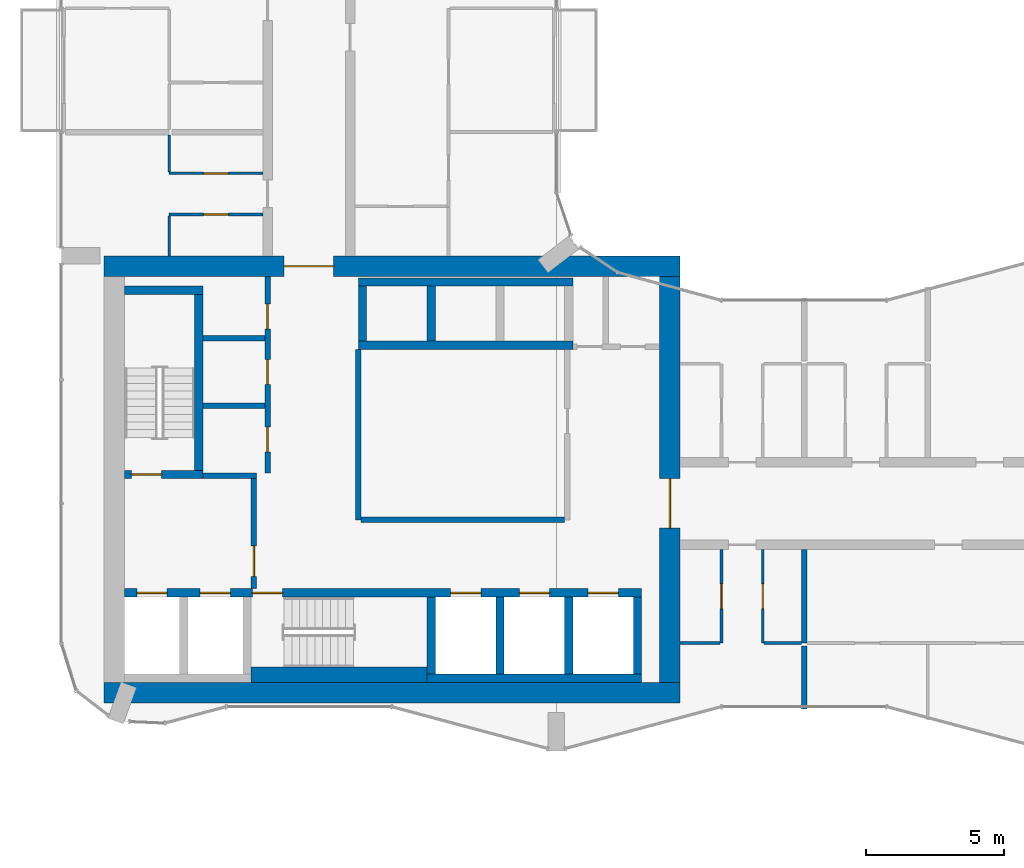
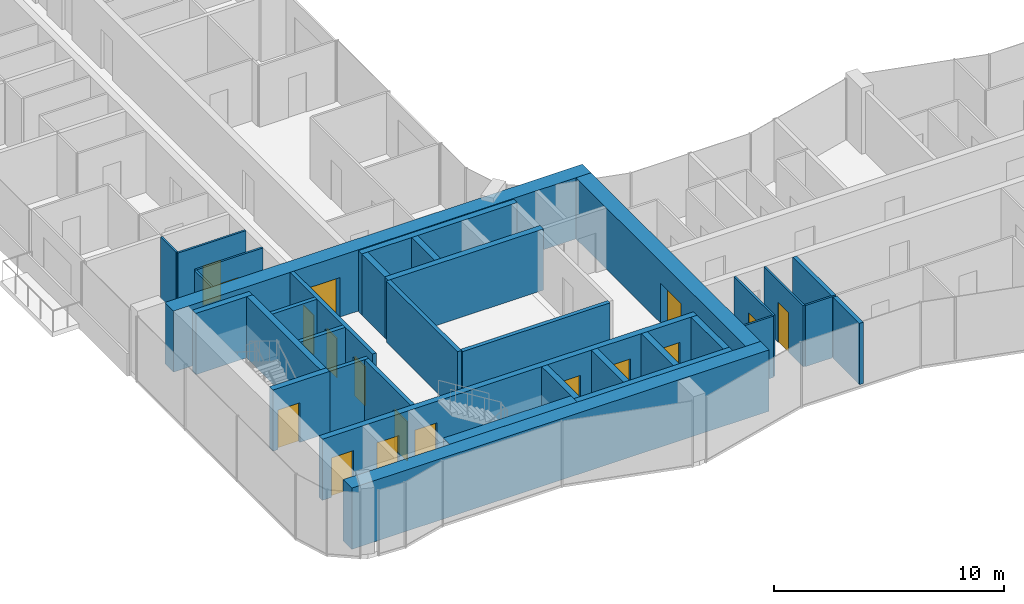
# One storey, part 13 of 23: 34 walls, 17 doors, 17 openings.
"""IFC4 building model written with IfcOpenShell, lengths in metres."""

from ifc_helpers import new_model, si_unit, direction, frame, frame_2d, origin, place, context, subcontext, project, spatial, rectangle, extrude, material, layer, layer_set, type_object, element, fill, save


model = new_model("IFC4")

# Units and contexts
model_context = context("Model", 3, precision=1e-05, world=origin(), true_north=direction((0.0, 1.0)))
body_context = subcontext(model_context, "Body", "Model", "MODEL_VIEW")
ifc_project = project(units=[si_unit("LENGTHUNIT", "METRE"), si_unit("AREAUNIT", "SQUARE_METRE"), si_unit("VOLUMEUNIT", "CUBIC_METRE"), si_unit("PLANEANGLEUNIT", "RADIAN"), si_unit("MASSUNIT", "GRAM", prefix="KILO")], contexts=[model_context])

# Site, building, storey
site_placement = place(None, origin())
site = spatial("IfcSite", under=ifc_project, at=site_placement, CompositionType="ELEMENT")
building_placement = place(site_placement, origin())
building = spatial("IfcBuilding", under=site, at=building_placement, Name="Plateau Cross Towers", CompositionType="ELEMENT")
storey_placement = place(building_placement, frame((0.0, 0.0, 37.300048828125)))
storey = spatial("IfcBuildingStorey", under=building, at=storey_placement, Name="L08", CompositionType="ELEMENT", Elevation=37.300048828125)

# Wall, opening, door
ifc_material_1 = material(Name="Concrete block, plastered both sides", Category="concrete")
ifc_layer_1 = layer(ifc_material_1, 0.199951171875)
ifc_layer_set_1 = layer_set([ifc_layer_1], Name="Concrete block, plastered both sides")
wall_type_1 = type_object("IfcWallType", Name="Core partition 200", PredefinedType="PARTITIONING", material=ifc_layer_set_1)
wall_1_placement = place(storey_placement, frame((7.0, 5.89990234375, 0.0), z_axis=(0.0, 0.0, 1.0), x_axis=(0.0, 1.0, 0.0)))
wall_1 = element("IfcWall", 1, at=wall_1_placement, inside=storey, type_object=wall_type_1, Name="Core partition", PredefinedType="PARTITIONING", context=body_context, shape_type="SweptSolid", body=[
    extrude(rectangle(XDim=4.0, YDim=0.199951171875, at=frame_2d((2.0, 0.0))), origin(), (0.0, 0.0, 1.0), 3.25),
])
opening_1_placement = place(wall_1_placement, frame((0.449951171875, 0.0, 0.0)))
opening_1 = element("IfcOpeningElement", 2, at=opening_1_placement, cuts=wall_1, Name="Opening FFD", PredefinedType="OPENING", context=body_context, shape_type="SweptSolid", body=[
    extrude(rectangle(XDim=1.10009765625, YDim=2.10009765625, at=frame_2d((0.550048828125, 1.050048828125))), frame((0.0, 0.10986328125, 0.0), z_axis=(0.0, -1.0, 0.0), x_axis=(1.0, 0.0, 0.0)), (0.0, 0.0, 1.0), 0.219970703125),
])
ifc_material_2 = material(Name="Steel, fire-resisting leaf", Category="steel")
door_type_1 = type_object("IfcDoorType", Name="Firefighting lobby door 1100", OperationType="NOTDEFINED", PredefinedType="DOOR", material=ifc_material_2)
door_1_placement = place(opening_1_placement, origin())
door_1 = element("IfcDoor", 3, at=door_1_placement, inside=storey, type_object=door_type_1, Name="Firefighting lobby door FFD", OperationType="SINGLE_SWING_LEFT", OverallHeight=2.10009765625, OverallWidth=1.10009765625, PredefinedType="DOOR", context=body_context, shape_type="SweptSolid", body=[
    extrude(rectangle(XDim=1.10009765625, YDim=2.10009765625, at=frame_2d((0.550048828125, 1.050048828125))), frame((0.0, 0.02490234375, 0.0), z_axis=(0.0, -1.0, 0.0), x_axis=(1.0, 0.0, 0.0)), (0.0, 0.0, 1.0), 0.050048828125),
])
fill(opening_1, door_1)

# Walls
wall_2_placement = place(storey_placement, frame((5.14990234375, 10.0, 0.0), z_axis=(0.0, 0.0, 1.0), x_axis=(1.0, 0.0, 0.0)))
element("IfcWall", 4, at=wall_2_placement, inside=storey, type_object=wall_type_1, Name="Core partition", PredefinedType="PARTITIONING", context=body_context, shape_type="SweptSolid", body=[
    extrude(rectangle(XDim=1.9501953125, YDim=0.199951171875, at=frame_2d((0.97509765625, 0.0))), origin(), (0.0, 0.0, 1.0), 3.25),
])
wall_3_placement = place(storey_placement, frame((10.800048828125, 8.39990234375, 0.0), z_axis=(0.0, 0.0, 1.0), x_axis=(0.0, 1.0, 0.0)))
element("IfcWall", 5, at=wall_3_placement, inside=storey, type_object=wall_type_1, Name="Core partition", PredefinedType="PARTITIONING", context=body_context, shape_type="SweptSolid", body=[
    extrude(rectangle(XDim=6.2001953125, YDim=0.199951171875, at=frame_2d((3.10009765625, 0.0))), origin(), (0.0, 0.0, 1.0), 3.25),
])
wall_4_placement = place(storey_placement, frame((10.89990234375, 8.39990234375, 0.0), z_axis=(0.0, 0.0, 1.0), x_axis=(1.0, 0.0, 0.0)))
element("IfcWall", 6, at=wall_4_placement, inside=storey, type_object=wall_type_1, Name="Core partition", PredefinedType="PARTITIONING", context=body_context, shape_type="SweptSolid", body=[
    extrude(rectangle(XDim=7.400146484375, YDim=0.199951171875, at=frame_2d((3.7001953125, 0.0))), origin(), (0.0, 0.0, 1.0), 3.25),
])

# Wall, openings, doors
wall_5_placement = place(storey_placement, frame((7.5, 10.10009765625, 0.0), z_axis=(0.0, 0.0, 1.0), x_axis=(0.0, 1.0, 0.0)))
wall_5 = element("IfcWall", 7, at=wall_5_placement, inside=storey, type_object=wall_type_1, Name="Core partition", PredefinedType="PARTITIONING", context=body_context, shape_type="SweptSolid", body=[
    extrude(rectangle(XDim=7.14990234375, YDim=0.199951171875, at=frame_2d((3.574951171875, 0.0))), origin(), (0.0, 0.0, 1.0), 3.25),
])
opening_2_placement = place(wall_5_placement, frame((0.77490234375, 0.0, 0.0)))
opening_2 = element("IfcOpeningElement", 8, at=opening_2_placement, cuts=wall_5, Name="Opening RD1", PredefinedType="OPENING", context=body_context, shape_type="SweptSolid", body=[
    extrude(rectangle(XDim=0.89990234375, YDim=2.10009765625, at=frame_2d((0.449951171875, 1.050048828125))), frame((0.0, 0.10986328125, 0.0), z_axis=(0.0, -1.0, 0.0), x_axis=(1.0, 0.0, 0.0)), (0.0, 0.0, 1.0), 0.219970703125),
])
opening_3_placement = place(wall_5_placement, frame((3.22509765625, 0.0, 0.0)))
opening_3 = element("IfcOpeningElement", 9, at=opening_3_placement, cuts=wall_5, Name="Opening RD1", PredefinedType="OPENING", context=body_context, shape_type="SweptSolid", body=[
    extrude(rectangle(XDim=0.89990234375, YDim=2.10009765625, at=frame_2d((0.449951171875, 1.050048828125))), frame((0.0, 0.10986328125, 0.0), z_axis=(0.0, -1.0, 0.0), x_axis=(1.0, 0.0, 0.0)), (0.0, 0.0, 1.0), 0.219970703125),
])
opening_4_placement = place(wall_5_placement, frame((5.25, 0.0, 0.0)))
opening_4 = element("IfcOpeningElement", 10, at=opening_4_placement, cuts=wall_5, Name="Opening RD1", PredefinedType="OPENING", context=body_context, shape_type="SweptSolid", body=[
    extrude(rectangle(XDim=0.89990234375, YDim=2.10009765625, at=frame_2d((0.449951171875, 1.050048828125))), frame((0.0, 0.10986328125, 0.0), z_axis=(0.0, -1.0, 0.0), x_axis=(1.0, 0.0, 0.0)), (0.0, 0.0, 1.0), 0.219970703125),
])
ifc_material_3 = material(Name="Timber, fire-resisting leaf", Category="wood")
door_type_2 = type_object("IfcDoorType", Name="Core service door 900", OperationType="NOTDEFINED", PredefinedType="DOOR", material=ifc_material_3)
door_2_placement = place(opening_2_placement, origin())
door_2 = element("IfcDoor", 11, at=door_2_placement, inside=storey, type_object=door_type_2, Name="Core service door RD1", OperationType="SINGLE_SWING_RIGHT", OverallHeight=2.10009765625, OverallWidth=0.89990234375, PredefinedType="DOOR", context=body_context, shape_type="SweptSolid", body=[
    extrude(rectangle(XDim=0.89990234375, YDim=2.10009765625, at=frame_2d((0.449951171875, 1.050048828125))), frame((0.0, 0.02490234375, 0.0), z_axis=(0.0, -1.0, 0.0), x_axis=(1.0, 0.0, 0.0)), (0.0, 0.0, 1.0), 0.050048828125),
])
fill(opening_2, door_2)
door_3_placement = place(opening_3_placement, origin())
door_3 = element("IfcDoor", 12, at=door_3_placement, inside=storey, type_object=door_type_2, Name="Core service door RD1", OperationType="SINGLE_SWING_RIGHT", OverallHeight=2.10009765625, OverallWidth=0.89990234375, PredefinedType="DOOR", context=body_context, shape_type="SweptSolid", body=[
    extrude(rectangle(XDim=0.89990234375, YDim=2.10009765625, at=frame_2d((0.449951171875, 1.050048828125))), frame((0.0, 0.02490234375, 0.0), z_axis=(0.0, -1.0, 0.0), x_axis=(1.0, 0.0, 0.0)), (0.0, 0.0, 1.0), 0.050048828125),
])
fill(opening_3, door_3)
door_4_placement = place(opening_4_placement, origin())
door_4 = element("IfcDoor", 13, at=door_4_placement, inside=storey, type_object=door_type_2, Name="Core service door RD1", OperationType="SINGLE_SWING_RIGHT", OverallHeight=2.10009765625, OverallWidth=0.89990234375, PredefinedType="DOOR", context=body_context, shape_type="SweptSolid", body=[
    extrude(rectangle(XDim=0.89990234375, YDim=2.10009765625, at=frame_2d((0.449951171875, 1.050048828125))), frame((0.0, 0.02490234375, 0.0), z_axis=(0.0, -1.0, 0.0), x_axis=(1.0, 0.0, 0.0)), (0.0, 0.0, 1.0), 0.050048828125),
])
fill(opening_4, door_4)

# Walls
for number, where, z_axis, x_axis, name in (
    (14, (5.14990234375, 12.550048828125, 0.0), (0.0, 0.0, 1.0), (1.0, 0.0, 0.0), "Core partition"),
    (15, (5.14990234375, 15.0, 0.0), (0.0, 0.0, 1.0), (1.0, 0.0, 0.0), "Core partition"),
):
    element("IfcWall", number, at=place(storey_placement, frame(where, z_axis=z_axis, x_axis=x_axis)), inside=storey, type_object=wall_type_1, Name=name, PredefinedType="PARTITIONING", context=body_context, shape_type="SweptSolid", body=[
        extrude(rectangle(XDim=2.25, YDim=0.199951171875, at=frame_2d((1.125, 0.0))), origin(), (0.0, 0.0, 1.0), 3.25),
    ])
ifc_material_4 = material(Name="Concrete C60/75", Category="concrete")
ifc_layer_2 = layer(ifc_material_4, 0.300048828125)
ifc_layer_set_2 = layer_set([ifc_layer_2], Name="Concrete C60/75")
wall_type_2 = type_object("IfcWallType", Name="Core shaft wall 300", PredefinedType="SHEAR", material=ifc_layer_set_2)
wall_6_placement = place(storey_placement, frame((13.300048828125, 2.64990234375, 0.0), z_axis=(0.0, 0.0, 1.0), x_axis=(1.0, 0.0, 0.0)))
element("IfcWall", 16, at=wall_6_placement, inside=storey, type_object=wall_type_2, Name="A-sb-back3@L08", PredefinedType="SHEAR", context=body_context, shape_type="SweptSolid", body=[
    extrude(rectangle(XDim=7.800048828125, YDim=0.300048828125, at=frame_2d((3.89990234375, 0.0))), origin(), (0.0, 0.0, 1.0), 3.25),
])
for number, where, z_axis, x_axis, name in (
    (17, (13.449951171875, 2.800048828125, 0.0), (0.0, 0.0, 1.0), (0.0, 1.0, 0.0), "A-sb-v3@L08"),
    (18, (15.949951171875, 2.800048828125, 0.0), (0.0, 0.0, 1.0), (0.0, 1.0, 0.0), "A-sb-v4@L08"),
    (19, (18.449951171875, 2.800048828125, 0.0), (0.0, 0.0, 1.0), (0.0, 1.0, 0.0), "A-sb-v5@L08"),
    (20, (20.949951171875, 2.800048828125, 0.0), (0.0, 0.0, 1.0), (0.0, 1.0, 0.0), "A-sb-v6@L08"),
):
    element("IfcWall", number, at=place(storey_placement, frame(where, z_axis=z_axis, x_axis=x_axis)), inside=storey, type_object=wall_type_2, Name=name, PredefinedType="SHEAR", context=body_context, shape_type="SweptSolid", body=[
        extrude(rectangle(XDim=2.800048828125, YDim=0.300048828125, at=frame_2d((1.39990234375, 0.0))), origin(), (0.0, 0.0, 1.0), 3.25),
    ])

# Wall, openings, doors
wall_7_placement = place(storey_placement, frame((2.300048828125, 5.75, 0.0), z_axis=(0.0, 0.0, 1.0), x_axis=(1.0, 0.0, 0.0)))
wall_7 = element("IfcWall", 21, at=wall_7_placement, inside=storey, type_object=wall_type_2, Name="A-sb-front@L08", PredefinedType="SHEAR", context=body_context, shape_type="SweptSolid", body=[
    extrude(rectangle(XDim=18.800048828125, YDim=0.300048828125, at=frame_2d((9.39990234375, 0.0))), origin(), (0.0, 0.0, 1.0), 3.25),
])
opening_5_placement = place(wall_7_placement, frame((4.64990234375, 0.0, 0.0)))
opening_5 = element("IfcOpeningElement", 22, at=opening_5_placement, cuts=wall_7, Name="Opening SD", PredefinedType="OPENING", context=body_context, shape_type="SweptSolid", body=[
    extrude(rectangle(XDim=1.10009765625, YDim=2.10009765625, at=frame_2d((0.550048828125, 1.050048828125))), frame((0.0, 0.159912109375, 0.0), z_axis=(0.0, -1.0, 0.0), x_axis=(1.0, 0.0, 0.0)), (0.0, 0.0, 1.0), 0.320068359375),
])
opening_6_placement = place(wall_7_placement, frame((0.449951171875, 0.0, 0.0)))
opening_6 = element("IfcOpeningElement", 23, at=opening_6_placement, cuts=wall_7, Name="Opening LD", PredefinedType="OPENING", context=body_context, shape_type="SweptSolid", body=[
    extrude(rectangle(XDim=1.10009765625, YDim=2.10009765625, at=frame_2d((0.550048828125, 1.050048828125))), frame((0.0, 0.159912109375, 0.0), z_axis=(0.0, -1.0, 0.0), x_axis=(1.0, 0.0, 0.0)), (0.0, 0.0, 1.0), 0.320068359375),
])
opening_7_placement = place(wall_7_placement, frame((2.75, 0.0, 0.0)))
opening_7 = element("IfcOpeningElement", 24, at=opening_7_placement, cuts=wall_7, Name="Opening LD", PredefinedType="OPENING", context=body_context, shape_type="SweptSolid", body=[
    extrude(rectangle(XDim=1.10009765625, YDim=2.10009765625, at=frame_2d((0.550048828125, 1.050048828125))), frame((0.0, 0.159912109375, 0.0), z_axis=(0.0, -1.0, 0.0), x_axis=(1.0, 0.0, 0.0)), (0.0, 0.0, 1.0), 0.320068359375),
])
opening_8_placement = place(wall_7_placement, frame((11.85009765625, 0.0, 0.0)))
opening_8 = element("IfcOpeningElement", 25, at=opening_8_placement, cuts=wall_7, Name="Opening LD", PredefinedType="OPENING", context=body_context, shape_type="SweptSolid", body=[
    extrude(rectangle(XDim=1.10009765625, YDim=2.10009765625, at=frame_2d((0.550048828125, 1.050048828125))), frame((0.0, 0.159912109375, 0.0), z_axis=(0.0, -1.0, 0.0), x_axis=(1.0, 0.0, 0.0)), (0.0, 0.0, 1.0), 0.320068359375),
])
opening_9_placement = place(wall_7_placement, frame((14.35009765625, 0.0, 0.0)))
opening_9 = element("IfcOpeningElement", 26, at=opening_9_placement, cuts=wall_7, Name="Opening LD", PredefinedType="OPENING", context=body_context, shape_type="SweptSolid", body=[
    extrude(rectangle(XDim=1.10009765625, YDim=2.10009765625, at=frame_2d((0.550048828125, 1.050048828125))), frame((0.0, 0.159912109375, 0.0), z_axis=(0.0, -1.0, 0.0), x_axis=(1.0, 0.0, 0.0)), (0.0, 0.0, 1.0), 0.320068359375),
])
opening_10_placement = place(wall_7_placement, frame((16.85009765625, 0.0, 0.0)))
opening_10 = element("IfcOpeningElement", 27, at=opening_10_placement, cuts=wall_7, Name="Opening LD", PredefinedType="OPENING", context=body_context, shape_type="SweptSolid", body=[
    extrude(rectangle(XDim=1.10009765625, YDim=2.10009765625, at=frame_2d((0.550048828125, 1.050048828125))), frame((0.0, 0.159912109375, 0.0), z_axis=(0.0, -1.0, 0.0), x_axis=(1.0, 0.0, 0.0)), (0.0, 0.0, 1.0), 0.320068359375),
])
ifc_material_5 = material(Name="Stainless steel, fire-resisting sliding leaves", Category="steel")
door_type_3 = type_object("IfcDoorType", Name="Lift landing door 1100", OperationType="NOTDEFINED", PredefinedType="DOOR", material=ifc_material_5)
door_5_placement = place(opening_6_placement, origin())
door_5 = element("IfcDoor", 28, at=door_5_placement, inside=storey, type_object=door_type_3, Name="Lift landing door LD", OperationType="DOUBLE_DOOR_SLIDING", OverallHeight=2.10009765625, OverallWidth=1.10009765625, PredefinedType="DOOR", context=body_context, shape_type="SweptSolid", body=[
    extrude(rectangle(XDim=1.10009765625, YDim=2.10009765625, at=frame_2d((0.550048828125, 1.050048828125))), frame((0.0, 0.02490234375, 0.0), z_axis=(0.0, -1.0, 0.0), x_axis=(1.0, 0.0, 0.0)), (0.0, 0.0, 1.0), 0.050048828125),
])
fill(opening_6, door_5)
door_6_placement = place(opening_7_placement, origin())
door_6 = element("IfcDoor", 29, at=door_6_placement, inside=storey, type_object=door_type_3, Name="Lift landing door LD", OperationType="DOUBLE_DOOR_SLIDING", OverallHeight=2.10009765625, OverallWidth=1.10009765625, PredefinedType="DOOR", context=body_context, shape_type="SweptSolid", body=[
    extrude(rectangle(XDim=1.10009765625, YDim=2.10009765625, at=frame_2d((0.550048828125, 1.050048828125))), frame((0.0, 0.02490234375, 0.0), z_axis=(0.0, -1.0, 0.0), x_axis=(1.0, 0.0, 0.0)), (0.0, 0.0, 1.0), 0.050048828125),
])
fill(opening_7, door_6)
door_7_placement = place(opening_8_placement, origin())
door_7 = element("IfcDoor", 30, at=door_7_placement, inside=storey, type_object=door_type_3, Name="Lift landing door LD", OperationType="DOUBLE_DOOR_SLIDING", OverallHeight=2.10009765625, OverallWidth=1.10009765625, PredefinedType="DOOR", context=body_context, shape_type="SweptSolid", body=[
    extrude(rectangle(XDim=1.10009765625, YDim=2.10009765625, at=frame_2d((0.550048828125, 1.050048828125))), frame((0.0, 0.02490234375, 0.0), z_axis=(0.0, -1.0, 0.0), x_axis=(1.0, 0.0, 0.0)), (0.0, 0.0, 1.0), 0.050048828125),
])
fill(opening_8, door_7)
door_8_placement = place(opening_9_placement, origin())
door_8 = element("IfcDoor", 31, at=door_8_placement, inside=storey, type_object=door_type_3, Name="Lift landing door LD", OperationType="DOUBLE_DOOR_SLIDING", OverallHeight=2.10009765625, OverallWidth=1.10009765625, PredefinedType="DOOR", context=body_context, shape_type="SweptSolid", body=[
    extrude(rectangle(XDim=1.10009765625, YDim=2.10009765625, at=frame_2d((0.550048828125, 1.050048828125))), frame((0.0, 0.02490234375, 0.0), z_axis=(0.0, -1.0, 0.0), x_axis=(1.0, 0.0, 0.0)), (0.0, 0.0, 1.0), 0.050048828125),
])
fill(opening_9, door_8)
door_9_placement = place(opening_10_placement, origin())
door_9 = element("IfcDoor", 32, at=door_9_placement, inside=storey, type_object=door_type_3, Name="Lift landing door LD", OperationType="DOUBLE_DOOR_SLIDING", OverallHeight=2.10009765625, OverallWidth=1.10009765625, PredefinedType="DOOR", context=body_context, shape_type="SweptSolid", body=[
    extrude(rectangle(XDim=1.10009765625, YDim=2.10009765625, at=frame_2d((0.550048828125, 1.050048828125))), frame((0.0, 0.02490234375, 0.0), z_axis=(0.0, -1.0, 0.0), x_axis=(1.0, 0.0, 0.0)), (0.0, 0.0, 1.0), 0.050048828125),
])
fill(opening_10, door_9)
door_type_4 = type_object("IfcDoorType", Name="Stair door 1100", OperationType="NOTDEFINED", PredefinedType="DOOR", material=ifc_material_2)
door_10_placement = place(opening_5_placement, origin())
door_10 = element("IfcDoor", 33, at=door_10_placement, inside=storey, type_object=door_type_4, Name="Stair door SD", OperationType="SINGLE_SWING_LEFT", OverallHeight=2.10009765625, OverallWidth=1.10009765625, PredefinedType="DOOR", context=body_context, shape_type="SweptSolid", body=[
    extrude(rectangle(XDim=1.10009765625, YDim=2.10009765625, at=frame_2d((0.550048828125, 1.050048828125))), frame((0.0, 0.02490234375, 0.0), z_axis=(0.0, -1.0, 0.0), x_axis=(1.0, 0.0, 0.0)), (0.0, 0.0, 1.0), 0.050048828125),
])
fill(opening_5, door_10)

# Wall, opening, door
wall_8_placement = place(storey_placement, frame((2.300048828125, 10.050048828125, 0.0), z_axis=(0.0, 0.0, 1.0), x_axis=(1.0, 0.0, 0.0)))
wall_8 = element("IfcWall", 34, at=wall_8_placement, inside=storey, type_object=wall_type_2, Name="A-st1-S@L08", PredefinedType="SHEAR", context=body_context, shape_type="SweptSolid", body=[
    extrude(rectangle(XDim=2.849853515625, YDim=0.300048828125, at=frame_2d((1.4248046875, 0.0))), origin(), (0.0, 0.0, 1.0), 3.25),
])
opening_11_placement = place(wall_8_placement, frame((0.25, 0.0, 0.0)))
opening_11 = element("IfcOpeningElement", 35, at=opening_11_placement, cuts=wall_8, Name="Opening SD", PredefinedType="OPENING", context=body_context, shape_type="SweptSolid", body=[
    extrude(rectangle(XDim=1.10009765625, YDim=2.10009765625, at=frame_2d((0.550048828125, 1.050048828125))), frame((0.0, 0.159912109375, 0.0), z_axis=(0.0, -1.0, 0.0), x_axis=(1.0, 0.0, 0.0)), (0.0, 0.0, 1.0), 0.320068359375),
])
door_11_placement = place(opening_11_placement, origin())
door_11 = element("IfcDoor", 36, at=door_11_placement, inside=storey, type_object=door_type_4, Name="Stair door SD", OperationType="SINGLE_SWING_RIGHT", OverallHeight=2.10009765625, OverallWidth=1.10009765625, PredefinedType="DOOR", context=body_context, shape_type="SweptSolid", body=[
    extrude(rectangle(XDim=1.10009765625, YDim=2.10009765625, at=frame_2d((0.550048828125, 1.050048828125))), frame((0.0, 0.02490234375, 0.0), z_axis=(0.0, -1.0, 0.0), x_axis=(1.0, 0.0, 0.0)), (0.0, 0.0, 1.0), 0.050048828125),
])
fill(opening_11, door_11)

# Walls
wall_9_placement = place(storey_placement, frame((5.0, 10.199951171875, 0.0), z_axis=(0.0, 0.0, 1.0), x_axis=(0.0, 1.0, 0.0)))
element("IfcWall", 37, at=wall_9_placement, inside=storey, type_object=wall_type_2, Name="A-st1-E@L08", PredefinedType="SHEAR", context=body_context, shape_type="SweptSolid", body=[
    extrude(rectangle(XDim=6.400146484375, YDim=0.300048828125, at=frame_2d((3.2001953125, 0.0))), origin(), (0.0, 0.0, 1.0), 3.25),
])
wall_10_placement = place(storey_placement, frame((2.300048828125, 16.75, 0.0), z_axis=(0.0, 0.0, 1.0), x_axis=(1.0, 0.0, 0.0)))
element("IfcWall", 38, at=wall_10_placement, inside=storey, type_object=wall_type_2, Name="A-st1-N@L08", PredefinedType="SHEAR", context=body_context, shape_type="SweptSolid", body=[
    extrude(rectangle(XDim=2.849853515625, YDim=0.300048828125, at=frame_2d((1.4248046875, 0.0))), origin(), (0.0, 0.0, 1.0), 3.25),
])
for number, where, z_axis, x_axis, name in (
    (39, (10.800048828125, 17.050048828125, 0.0), (0.0, 0.0, 1.0), (1.0, 0.0, 0.0), "A-nb-back@L08"),
    (40, (10.800048828125, 14.75, 0.0), (0.0, 0.0, 1.0), (1.0, 0.0, 0.0), "A-nb-front@L08"),
):
    element("IfcWall", number, at=place(storey_placement, frame(where, z_axis=z_axis, x_axis=x_axis)), inside=storey, type_object=wall_type_2, Name=name, PredefinedType="SHEAR", context=body_context, shape_type="SweptSolid", body=[
        extrude(rectangle(XDim=7.800048828125, YDim=0.300048828125, at=frame_2d((3.89990234375, 0.0))), origin(), (0.0, 0.0, 1.0), 3.25),
    ])
for number, where, z_axis, x_axis, name in (
    (41, (10.949951171875, 14.89990234375, 0.0), (0.0, 0.0, 1.0), (0.0, 1.0, 0.0), "A-nb-v1@L08"),
    (42, (13.449951171875, 14.89990234375, 0.0), (0.0, 0.0, 1.0), (0.0, 1.0, 0.0), "A-nb-v2@L08"),
):
    element("IfcWall", number, at=place(storey_placement, frame(where, z_axis=z_axis, x_axis=x_axis)), inside=storey, type_object=wall_type_2, Name=name, PredefinedType="SHEAR", context=body_context, shape_type="SweptSolid", body=[
        extrude(rectangle(XDim=2.0, YDim=0.300048828125, at=frame_2d((1.0, 0.0))), origin(), (0.0, 0.0, 1.0), 3.25),
    ])
ifc_layer_3 = layer(ifc_material_4, 0.550048828125)
ifc_layer_set_3 = layer_set([ifc_layer_3], Name="Concrete C60/75")
wall_type_3 = type_object("IfcWallType", Name="Core shaft wall 550", PredefinedType="SHEAR", material=ifc_layer_set_3)
wall_11_placement = place(storey_placement, frame((6.89990234375, 2.77490234375, 0.0), z_axis=(0.0, 0.0, 1.0), x_axis=(1.0, 0.0, 0.0)))
element("IfcWall", 43, at=wall_11_placement, inside=storey, type_object=wall_type_3, Name="A-sb-back2@L08", PredefinedType="SHEAR", context=body_context, shape_type="SweptSolid", body=[
    extrude(rectangle(XDim=6.400146484375, YDim=0.550048828125, at=frame_2d((3.2001953125, 0.0))), origin(), (0.0, 0.0, 1.0), 3.25),
])
ifc_layer_4 = layer(ifc_material_4, 0.75)
ifc_layer_set_4 = layer_set([ifc_layer_4], Name="Concrete C60/75")
wall_type_4 = type_object("IfcWallType", Name="Core shell wall 750", PredefinedType="SHEAR", material=ifc_layer_set_4)
wall_12_placement = place(storey_placement, frame((1.550048828125, 2.125, 0.0), z_axis=(0.0, 0.0, 1.0), x_axis=(1.0, 0.0, 0.0)))
element("IfcWall", 44, at=wall_12_placement, inside=storey, type_object=wall_type_4, Name="A-core-S@L08", PredefinedType="SHEAR", context=body_context, shape_type="SweptSolid", body=[
    extrude(rectangle(XDim=20.949951171875, YDim=0.75, at=frame_2d((10.47509765625, 0.0))), origin(), (0.0, 0.0, 1.0), 3.25),
])

# Wall, opening, door
wall_13_placement = place(storey_placement, frame((1.550048828125, 17.625, 0.0), z_axis=(0.0, 0.0, 1.0), x_axis=(1.0, 0.0, 0.0)))
wall_13 = element("IfcWall", 45, at=wall_13_placement, inside=storey, type_object=wall_type_4, Name="A-core-N@L08", PredefinedType="SHEAR", context=body_context, shape_type="SweptSolid", body=[
    extrude(rectangle(XDim=20.949951171875, YDim=0.75, at=frame_2d((10.47509765625, 0.0))), origin(), (0.0, 0.0, 1.0), 3.25),
])
opening_12_placement = place(wall_13_placement, frame((6.550048828125, 0.0, 0.0)))
opening_12 = element("IfcOpeningElement", 46, at=opening_12_placement, cuts=wall_13, Name="Opening CD", PredefinedType="OPENING", context=body_context, shape_type="SweptSolid", body=[
    extrude(rectangle(XDim=1.800048828125, YDim=2.10009765625, at=frame_2d((0.89990234375, 1.050048828125))), frame((0.0, 0.385009765625, 0.0), z_axis=(0.0, -1.0, 0.0), x_axis=(1.0, 0.0, 0.0)), (0.0, 0.0, 1.0), 0.77001953125),
])
ifc_material_6 = material(Name="Steel, fire-resisting leaves", Category="steel")
door_type_5 = type_object("IfcDoorType", Name="Corridor door pair 1800", OperationType="NOTDEFINED", PredefinedType="DOOR", material=ifc_material_6)
door_12_placement = place(opening_12_placement, origin())
door_12 = element("IfcDoor", 47, at=door_12_placement, inside=storey, type_object=door_type_5, Name="Corridor door pair CD", OperationType="DOUBLE_DOOR_SINGLE_SWING", OverallHeight=2.10009765625, OverallWidth=1.800048828125, PredefinedType="DOOR", context=body_context, shape_type="SweptSolid", body=[
    extrude(rectangle(XDim=1.800048828125, YDim=2.10009765625, at=frame_2d((0.89990234375, 1.050048828125))), frame((0.0, 0.02490234375, 0.0), z_axis=(0.0, -1.0, 0.0), x_axis=(1.0, 0.0, 0.0)), (0.0, 0.0, 1.0), 0.050048828125),
])
fill(opening_12, door_12)

wall_14_placement = place(storey_placement, frame((22.125, 2.5, 0.0), z_axis=(0.0, 0.0, 1.0), x_axis=(0.0, 1.0, 0.0)))
wall_14 = element("IfcWall", 48, at=wall_14_placement, inside=storey, type_object=wall_type_4, Name="A-core-E@L08", PredefinedType="SHEAR", context=body_context, shape_type="SweptSolid", body=[
    extrude(rectangle(XDim=14.75, YDim=0.75, at=frame_2d((7.375, 0.0))), origin(), (0.0, 0.0, 1.0), 3.25),
])
opening_13_placement = place(wall_14_placement, frame((5.60009765625, 0.0, 0.0)))
opening_13 = element("IfcOpeningElement", 49, at=opening_13_placement, cuts=wall_14, Name="Opening CD", PredefinedType="OPENING", context=body_context, shape_type="SweptSolid", body=[
    extrude(rectangle(XDim=1.800048828125, YDim=2.10009765625, at=frame_2d((0.89990234375, 1.050048828125))), frame((0.0, 0.385009765625, 0.0), z_axis=(0.0, -1.0, 0.0), x_axis=(1.0, 0.0, 0.0)), (0.0, 0.0, 1.0), 0.77001953125),
])
door_13_placement = place(opening_13_placement, origin())
door_13 = element("IfcDoor", 50, at=door_13_placement, inside=storey, type_object=door_type_5, Name="Corridor door pair CD", OperationType="DOUBLE_DOOR_SINGLE_SWING", OverallHeight=2.10009765625, OverallWidth=1.800048828125, PredefinedType="DOOR", context=body_context, shape_type="SweptSolid", body=[
    extrude(rectangle(XDim=1.800048828125, YDim=2.10009765625, at=frame_2d((0.89990234375, 1.050048828125))), frame((0.0, 0.02490234375, 0.0), z_axis=(0.0, -1.0, 0.0), x_axis=(1.0, 0.0, 0.0)), (0.0, 0.0, 1.0), 0.050048828125),
])
fill(opening_13, door_13)

# Walls
ifc_material_7 = material(Name="Gypsum board on steel studs", Category="steel")
ifc_layer_5 = layer(ifc_material_7, 0.10009765625)
ifc_layer_set_5 = layer_set([ifc_layer_5], Name="Gypsum board on steel studs")
wall_type_5 = type_object("IfcWallType", Name="Flat partition 100", PredefinedType="PARTITIONING", material=ifc_layer_set_5)
wall_15_placement = place(storey_placement, frame((22.5, 3.925048828125, 0.0), z_axis=(0.0, 0.0, 1.0), x_axis=(1.0, 0.0, 0.0)))
element("IfcWall", 51, at=wall_15_placement, inside=storey, type_object=wall_type_5, Name="Partition wall", PredefinedType="PARTITIONING", context=body_context, shape_type="SweptSolid", body=[
    extrude(rectangle(XDim=1.449951171875, YDim=0.10009765625, at=frame_2d((0.72509765625, 0.0))), origin(), (0.0, 0.0, 1.0), 3.25),
])
wall_16_placement = place(storey_placement, frame((25.550048828125, 3.925048828125, 0.0), z_axis=(0.0, 0.0, 1.0), x_axis=(1.0, 0.0, 0.0)))
element("IfcWall", 52, at=wall_16_placement, inside=storey, type_object=wall_type_5, Name="Partition wall", PredefinedType="PARTITIONING", context=body_context, shape_type="SweptSolid", body=[
    extrude(rectangle(XDim=1.349853515625, YDim=0.10009765625, at=frame_2d((0.6748046875, 0.0))), origin(), (0.0, 0.0, 1.0), 3.25),
])

# Wall, opening, door
wall_17_placement = place(storey_placement, frame((7.324951171875, 19.5, 0.0), z_axis=(0.0, 0.0, 1.0), x_axis=(-1.0, 0.0, 0.0)))
wall_17 = element("IfcWall", 53, at=wall_17_placement, inside=storey, type_object=wall_type_5, Name="Partition wall", PredefinedType="PARTITIONING", context=body_context, shape_type="SweptSolid", body=[
    extrude(rectangle(XDim=3.39990234375, YDim=0.10009765625, at=frame_2d((1.699951171875, 0.0))), origin(), (0.0, 0.0, 1.0), 3.25),
])
opening_14_placement = place(wall_17_placement, frame((1.25, 0.0, 0.0)))
opening_14 = element("IfcOpeningElement", 54, at=opening_14_placement, cuts=wall_17, Name="Opening 08-32", PredefinedType="OPENING", context=body_context, shape_type="SweptSolid", body=[
    extrude(rectangle(XDim=0.89990234375, YDim=2.10009765625, at=frame_2d((0.449951171875, 1.050048828125))), frame((0.0, 0.06005859375, 0.0), z_axis=(0.0, -1.0, 0.0), x_axis=(1.0, 0.0, 0.0)), (0.0, 0.0, 1.0), 0.1201171875),
])
ifc_material_8 = material(Name="Timber leaf", Category="wood")
door_type_6 = type_object("IfcDoorType", Name="Flat room door 900", OperationType="NOTDEFINED", PredefinedType="DOOR", material=ifc_material_8)
door_14_placement = place(opening_14_placement, origin())
door_14 = element("IfcDoor", 55, at=door_14_placement, inside=storey, type_object=door_type_6, Name="Door 08-32", OperationType="SINGLE_SWING_LEFT", OverallHeight=2.10009765625, OverallWidth=0.89990234375, PredefinedType="DOOR", context=body_context, shape_type="SweptSolid", body=[
    extrude(rectangle(XDim=0.89990234375, YDim=2.10009765625, at=frame_2d((0.449951171875, 1.050048828125))), frame((0.0, 0.02490234375, 0.0), z_axis=(0.0, -1.0, 0.0), x_axis=(1.0, 0.0, 0.0)), (0.0, 0.0, 1.0), 0.050048828125),
])
fill(opening_14, door_14)

wall_18_placement = place(storey_placement, frame((3.925048828125, 21.0, 0.0), z_axis=(0.0, 0.0, 1.0), x_axis=(1.0, 0.0, 0.0)))
wall_18 = element("IfcWall", 56, at=wall_18_placement, inside=storey, type_object=wall_type_5, Name="Partition wall", PredefinedType="PARTITIONING", context=body_context, shape_type="SweptSolid", body=[
    extrude(rectangle(XDim=3.39990234375, YDim=0.10009765625, at=frame_2d((1.699951171875, 0.0))), origin(), (0.0, 0.0, 1.0), 3.25),
])
opening_15_placement = place(wall_18_placement, frame((1.25, 0.0, 0.0)))
opening_15 = element("IfcOpeningElement", 57, at=opening_15_placement, cuts=wall_18, Name="Opening 08-33", PredefinedType="OPENING", context=body_context, shape_type="SweptSolid", body=[
    extrude(rectangle(XDim=0.89990234375, YDim=2.10009765625, at=frame_2d((0.449951171875, 1.050048828125))), frame((0.0, 0.06005859375, 0.0), z_axis=(0.0, -1.0, 0.0), x_axis=(1.0, 0.0, 0.0)), (0.0, 0.0, 1.0), 0.1201171875),
])
door_15_placement = place(opening_15_placement, origin())
door_15 = element("IfcDoor", 58, at=door_15_placement, inside=storey, type_object=door_type_6, Name="Door 08-33", OperationType="SINGLE_SWING_LEFT", OverallHeight=2.10009765625, OverallWidth=0.89990234375, PredefinedType="DOOR", context=body_context, shape_type="SweptSolid", body=[
    extrude(rectangle(XDim=0.89990234375, YDim=2.10009765625, at=frame_2d((0.449951171875, 1.050048828125))), frame((0.0, 0.02490234375, 0.0), z_axis=(0.0, -1.0, 0.0), x_axis=(1.0, 0.0, 0.0)), (0.0, 0.0, 1.0), 0.050048828125),
])
fill(opening_15, door_15)

# Walls
wall_19_placement = place(storey_placement, frame((3.925048828125, 19.449951171875, 0.0), z_axis=(0.0, 0.0, 1.0), x_axis=(0.0, -1.0, 0.0)))
element("IfcWall", 59, at=wall_19_placement, inside=storey, type_object=wall_type_5, Name="Partition wall", PredefinedType="PARTITIONING", context=body_context, shape_type="SweptSolid", body=[
    extrude(rectangle(XDim=1.449951171875, YDim=0.10009765625, at=frame_2d((0.72509765625, 0.0))), origin(), (0.0, 0.0, 1.0), 3.25),
])
wall_20_placement = place(storey_placement, frame((3.925048828125, 22.39990234375, 0.0), z_axis=(0.0, 0.0, 1.0), x_axis=(0.0, -1.0, 0.0)))
element("IfcWall", 60, at=wall_20_placement, inside=storey, type_object=wall_type_5, Name="Partition wall", PredefinedType="PARTITIONING", context=body_context, shape_type="SweptSolid", body=[
    extrude(rectangle(XDim=1.349853515625, YDim=0.10009765625, at=frame_2d((0.6748046875, 0.0))), origin(), (0.0, 0.0, 1.0), 3.25),
])

# Wall, opening, door
wall_21_placement = place(storey_placement, frame((24.0, 3.925048828125, 0.0), z_axis=(0.0, 0.0, 1.0), x_axis=(0.0, 1.0, 0.0)))
wall_21 = element("IfcWall", 61, at=wall_21_placement, inside=storey, type_object=wall_type_5, Name="Partition wall", PredefinedType="PARTITIONING", context=body_context, shape_type="SweptSolid", body=[
    extrude(rectangle(XDim=3.39990234375, YDim=0.10009765625, at=frame_2d((1.699951171875, 0.0))), origin(), (0.0, 0.0, 1.0), 3.25),
])
opening_16_placement = place(wall_21_placement, frame((1.25, 0.0, 0.0)))
opening_16 = element("IfcOpeningElement", 62, at=opening_16_placement, cuts=wall_21, Name="Opening 08-17", PredefinedType="OPENING", context=body_context, shape_type="SweptSolid", body=[
    extrude(rectangle(XDim=0.89990234375, YDim=2.10009765625, at=frame_2d((0.449951171875, 1.050048828125))), frame((0.0, 0.06005859375, 0.0), z_axis=(0.0, -1.0, 0.0), x_axis=(1.0, 0.0, 0.0)), (0.0, 0.0, 1.0), 0.1201171875),
])
door_16_placement = place(opening_16_placement, origin())
door_16 = element("IfcDoor", 63, at=door_16_placement, inside=storey, type_object=door_type_6, Name="Door 08-17", OperationType="SINGLE_SWING_LEFT", OverallHeight=2.10009765625, OverallWidth=0.89990234375, PredefinedType="DOOR", context=body_context, shape_type="SweptSolid", body=[
    extrude(rectangle(XDim=0.89990234375, YDim=2.10009765625, at=frame_2d((0.449951171875, 1.050048828125))), frame((0.0, 0.02490234375, 0.0), z_axis=(0.0, -1.0, 0.0), x_axis=(1.0, 0.0, 0.0)), (0.0, 0.0, 1.0), 0.050048828125),
])
fill(opening_16, door_16)

wall_22_placement = place(storey_placement, frame((25.5, 7.324951171875, 0.0), z_axis=(0.0, 0.0, 1.0), x_axis=(0.0, -1.0, 0.0)))
wall_22 = element("IfcWall", 64, at=wall_22_placement, inside=storey, type_object=wall_type_5, Name="Partition wall", PredefinedType="PARTITIONING", context=body_context, shape_type="SweptSolid", body=[
    extrude(rectangle(XDim=3.39990234375, YDim=0.10009765625, at=frame_2d((1.699951171875, 0.0))), origin(), (0.0, 0.0, 1.0), 3.25),
])
opening_17_placement = place(wall_22_placement, frame((1.25, 0.0, 0.0)))
opening_17 = element("IfcOpeningElement", 65, at=opening_17_placement, cuts=wall_22, Name="Opening 08-18", PredefinedType="OPENING", context=body_context, shape_type="SweptSolid", body=[
    extrude(rectangle(XDim=0.89990234375, YDim=2.10009765625, at=frame_2d((0.449951171875, 1.050048828125))), frame((0.0, 0.06005859375, 0.0), z_axis=(0.0, -1.0, 0.0), x_axis=(1.0, 0.0, 0.0)), (0.0, 0.0, 1.0), 0.1201171875),
])
door_17_placement = place(opening_17_placement, origin())
door_17 = element("IfcDoor", 66, at=door_17_placement, inside=storey, type_object=door_type_6, Name="Door 08-18", OperationType="SINGLE_SWING_LEFT", OverallHeight=2.10009765625, OverallWidth=0.89990234375, PredefinedType="DOOR", context=body_context, shape_type="SweptSolid", body=[
    extrude(rectangle(XDim=0.89990234375, YDim=2.10009765625, at=frame_2d((0.449951171875, 1.050048828125))), frame((0.0, 0.02490234375, 0.0), z_axis=(0.0, -1.0, 0.0), x_axis=(1.0, 0.0, 0.0)), (0.0, 0.0, 1.0), 0.050048828125),
])
fill(opening_17, door_17)

# Walls
ifc_material_9 = material(Name="Gypsum board on steel studs, two layers each side", Category="steel")
ifc_layer_6 = layer(ifc_material_9, 0.199951171875)
ifc_layer_set_6 = layer_set([ifc_layer_6], Name="Gypsum board on steel studs, two layers each side")
wall_type_6 = type_object("IfcWallType", Name="Flat party wall 200", PredefinedType="PARTITIONING", material=ifc_layer_set_6)
wall_23_placement = place(storey_placement, frame((27.0, 3.824951171875, 0.0), z_axis=(0.0, 0.0, 1.0), x_axis=(0.0, -1.0, 0.0)))
element("IfcWall", 67, at=wall_23_placement, inside=storey, type_object=wall_type_6, Name="Party wall", PredefinedType="PARTITIONING", context=body_context, shape_type="SweptSolid", body=[
    extrude(rectangle(XDim=2.298095703125, YDim=0.199951171875, at=frame_2d((1.14892578125, 0.0))), origin(), (0.0, 0.0, 1.0), 3.25),
])
wall_24_placement = place(storey_placement, frame((27.0, 3.925048828125, 0.0), z_axis=(0.0, 0.0, 1.0), x_axis=(0.0, 1.0, 0.0)))
element("IfcWall", 68, at=wall_24_placement, inside=storey, type_object=wall_type_6, Name="Party wall", PredefinedType="PARTITIONING", context=body_context, shape_type="SweptSolid", body=[
    extrude(rectangle(XDim=3.39990234375, YDim=0.199951171875, at=frame_2d((1.699951171875, 0.0))), origin(), (0.0, 0.0, 1.0), 3.25),
])

save(model, "model.ifc")
